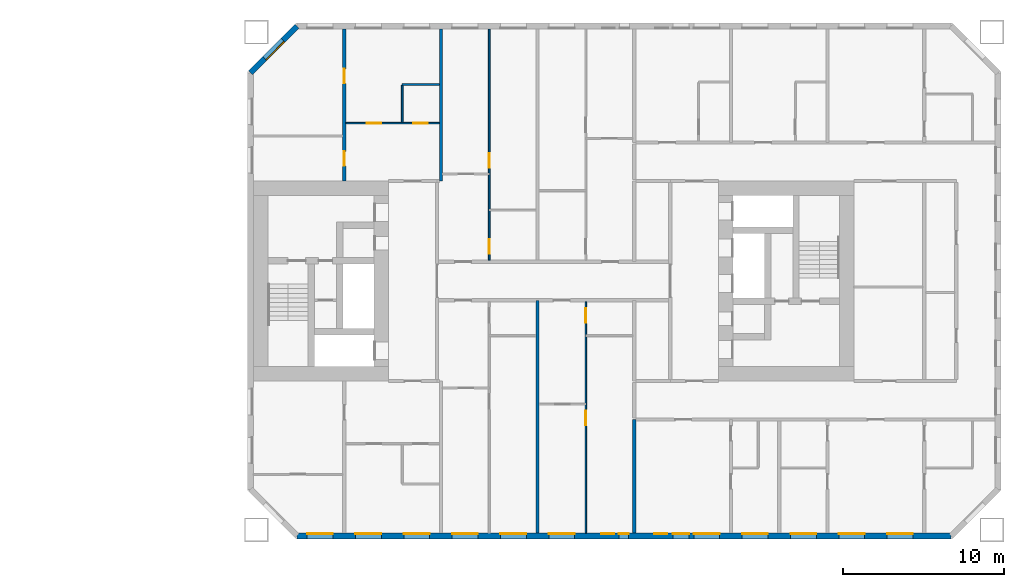
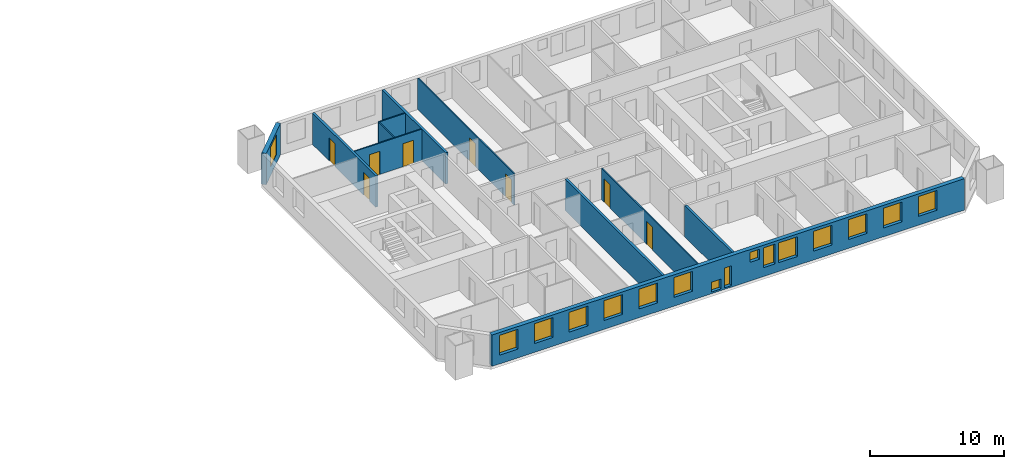
# One storey, part 10 of 16: 16 windows, 11 walls, 8 doors, 24 openings.
"""IFC4 building model written with IfcOpenShell, lengths in metres."""

from ifc_helpers import new_model, si_unit, direction, frame, frame_2d, origin, place, context, subcontext, project, spatial, rectangle, extrude, material, layer, layer_set, type_object, element, fill, save


model = new_model("IFC4")

# Units and contexts
model_context = context("Model", 3, precision=1e-05, world=origin(), true_north=direction((0.0, 1.0)))
body_context = subcontext(model_context, "Body", "Model", "MODEL_VIEW")
ifc_project = project(units=[si_unit("LENGTHUNIT", "METRE"), si_unit("AREAUNIT", "SQUARE_METRE"), si_unit("VOLUMEUNIT", "CUBIC_METRE"), si_unit("PLANEANGLEUNIT", "RADIAN"), si_unit("MASSUNIT", "GRAM", prefix="KILO")], contexts=[model_context])

# Site, building, storey
site_placement = place(None, origin())
site = spatial("IfcSite", under=ifc_project, at=site_placement, CompositionType="ELEMENT")
building_placement = place(site_placement, origin())
building = spatial("IfcBuilding", under=site, at=building_placement, Name="Tuart Gate Housing", CompositionType="ELEMENT")
storey_placement = place(building_placement, frame((0.0, 0.0, 35.0)))
storey = spatial("IfcBuildingStorey", under=building, at=storey_placement, Name="L09", CompositionType="ELEMENT", Elevation=35.0)

# Wall, openings, windows
ifc_material_1 = material(Name="Brick", Category="masonry")
ifc_layer_1 = layer(ifc_material_1, 0.360107421875)
ifc_layer_set_1 = layer_set([ifc_layer_1], Name="Brick pier and spandrel wall 360")
wall_type_1 = type_object("IfcWallType", Name="Brick pier and spandrel wall 360", PredefinedType="STANDARD", material=ifc_layer_set_1)
wall_1_placement = place(storey_placement, frame((134.07470703125, 54.179931640625, 0.0), z_axis=(0.0, 0.0, 1.0), x_axis=(1.0, 0.0, 0.0)))
wall_1 = element("IfcWall", 1, at=wall_1_placement, inside=storey, type_object=wall_type_1, Name="External wall B-S L09", PredefinedType="STANDARD", context=body_context, shape_type="SweptSolid", body=[
    extrude(rectangle(XDim=40.600830078125, YDim=0.360107421875, at=frame_2d((20.30029296875, 0.0))), origin(), (0.0, 0.0, 1.0), 2.85009765625),
])
opening_1_placement = place(wall_1_placement, frame((0.62548828125, 0.0, 0.800048828125)))
opening_1 = element("IfcOpeningElement", 2, at=opening_1_placement, cuts=wall_1, Name="Opening W1", PredefinedType="OPENING", context=body_context, shape_type="SweptSolid", body=[
    extrude(rectangle(XDim=1.60009765625, YDim=1.800048828125, at=frame_2d((0.800048828125, 0.89990234375))), frame((0.0, 0.18994140625, 0.0), z_axis=(0.0, -1.0, 0.0), x_axis=(1.0, 0.0, 0.0)), (0.0, 0.0, 1.0), 0.380126953125),
])
opening_2_placement = place(wall_1_placement, frame((3.62548828125, 0.0, 0.800048828125)))
opening_2 = element("IfcOpeningElement", 3, at=opening_2_placement, cuts=wall_1, Name="Opening W1", PredefinedType="OPENING", context=body_context, shape_type="SweptSolid", body=[
    extrude(rectangle(XDim=1.60009765625, YDim=1.800048828125, at=frame_2d((0.800048828125, 0.89990234375))), frame((0.0, 0.18994140625, 0.0), z_axis=(0.0, -1.0, 0.0), x_axis=(1.0, 0.0, 0.0)), (0.0, 0.0, 1.0), 0.380126953125),
])
opening_3_placement = place(wall_1_placement, frame((6.62548828125, 0.0, 0.800048828125)))
opening_3 = element("IfcOpeningElement", 4, at=opening_3_placement, cuts=wall_1, Name="Opening W1", PredefinedType="OPENING", context=body_context, shape_type="SweptSolid", body=[
    extrude(rectangle(XDim=1.60009765625, YDim=1.800048828125, at=frame_2d((0.800048828125, 0.89990234375))), frame((0.0, 0.18994140625, 0.0), z_axis=(0.0, -1.0, 0.0), x_axis=(1.0, 0.0, 0.0)), (0.0, 0.0, 1.0), 0.380126953125),
])
opening_4_placement = place(wall_1_placement, frame((9.62548828125, 0.0, 0.800048828125)))
opening_4 = element("IfcOpeningElement", 5, at=opening_4_placement, cuts=wall_1, Name="Opening W1", PredefinedType="OPENING", context=body_context, shape_type="SweptSolid", body=[
    extrude(rectangle(XDim=1.60009765625, YDim=1.800048828125, at=frame_2d((0.800048828125, 0.89990234375))), frame((0.0, 0.18994140625, 0.0), z_axis=(0.0, -1.0, 0.0), x_axis=(1.0, 0.0, 0.0)), (0.0, 0.0, 1.0), 0.380126953125),
])
opening_5_placement = place(wall_1_placement, frame((12.62548828125, 0.0, 0.800048828125)))
opening_5 = element("IfcOpeningElement", 6, at=opening_5_placement, cuts=wall_1, Name="Opening W1", PredefinedType="OPENING", context=body_context, shape_type="SweptSolid", body=[
    extrude(rectangle(XDim=1.60009765625, YDim=1.800048828125, at=frame_2d((0.800048828125, 0.89990234375))), frame((0.0, 0.18994140625, 0.0), z_axis=(0.0, -1.0, 0.0), x_axis=(1.0, 0.0, 0.0)), (0.0, 0.0, 1.0), 0.380126953125),
])
opening_6_placement = place(wall_1_placement, frame((15.62548828125, 0.0, 0.800048828125)))
opening_6 = element("IfcOpeningElement", 7, at=opening_6_placement, cuts=wall_1, Name="Opening W1", PredefinedType="OPENING", context=body_context, shape_type="SweptSolid", body=[
    extrude(rectangle(XDim=1.60009765625, YDim=1.800048828125, at=frame_2d((0.800048828125, 0.89990234375))), frame((0.0, 0.18994140625, 0.0), z_axis=(0.0, -1.0, 0.0), x_axis=(1.0, 0.0, 0.0)), (0.0, 0.0, 1.0), 0.380126953125),
])
opening_7_placement = place(wall_1_placement, frame((18.87548828125, 0.0, 0.14990234375)))
opening_7 = element("IfcOpeningElement", 8, at=opening_7_placement, cuts=wall_1, Name="Opening W1V", PredefinedType="OPENING", context=body_context, shape_type="SweptSolid", body=[
    extrude(rectangle(XDim=0.800048828125, YDim=0.89990234375, at=frame_2d((0.39990234375, 0.449951171875))), frame((0.0, 0.18994140625, 0.0), z_axis=(0.0, -1.0, 0.0), x_axis=(1.0, 0.0, 0.0)), (0.0, 0.0, 1.0), 0.380126953125),
])
opening_8_placement = place(wall_1_placement, frame((22.17529296875, 0.0, 1.699951171875)))
opening_8 = element("IfcOpeningElement", 9, at=opening_8_placement, cuts=wall_1, Name="Opening W1V", PredefinedType="OPENING", context=body_context, shape_type="SweptSolid", body=[
    extrude(rectangle(XDim=0.800048828125, YDim=0.89990234375, at=frame_2d((0.39990234375, 0.449951171875))), frame((0.0, 0.18994140625, 0.0), z_axis=(0.0, -1.0, 0.0), x_axis=(1.0, 0.0, 0.0)), (0.0, 0.0, 1.0), 0.380126953125),
])
opening_9_placement = place(wall_1_placement, frame((24.62548828125, 0.0, 0.800048828125)))
opening_9 = element("IfcOpeningElement", 10, at=opening_9_placement, cuts=wall_1, Name="Opening W1", PredefinedType="OPENING", context=body_context, shape_type="SweptSolid", body=[
    extrude(rectangle(XDim=1.60009765625, YDim=1.800048828125, at=frame_2d((0.800048828125, 0.89990234375))), frame((0.0, 0.18994140625, 0.0), z_axis=(0.0, -1.0, 0.0), x_axis=(1.0, 0.0, 0.0)), (0.0, 0.0, 1.0), 0.380126953125),
])
opening_10_placement = place(wall_1_placement, frame((27.62548828125, 0.0, 0.800048828125)))
opening_10 = element("IfcOpeningElement", 11, at=opening_10_placement, cuts=wall_1, Name="Opening W1", PredefinedType="OPENING", context=body_context, shape_type="SweptSolid", body=[
    extrude(rectangle(XDim=1.60009765625, YDim=1.800048828125, at=frame_2d((0.800048828125, 0.89990234375))), frame((0.0, 0.18994140625, 0.0), z_axis=(0.0, -1.0, 0.0), x_axis=(1.0, 0.0, 0.0)), (0.0, 0.0, 1.0), 0.380126953125),
])
opening_11_placement = place(wall_1_placement, frame((30.62548828125, 0.0, 0.800048828125)))
opening_11 = element("IfcOpeningElement", 12, at=opening_11_placement, cuts=wall_1, Name="Opening W1", PredefinedType="OPENING", context=body_context, shape_type="SweptSolid", body=[
    extrude(rectangle(XDim=1.60009765625, YDim=1.800048828125, at=frame_2d((0.800048828125, 0.89990234375))), frame((0.0, 0.18994140625, 0.0), z_axis=(0.0, -1.0, 0.0), x_axis=(1.0, 0.0, 0.0)), (0.0, 0.0, 1.0), 0.380126953125),
])
opening_12_placement = place(wall_1_placement, frame((33.62548828125, 0.0, 0.800048828125)))
opening_12 = element("IfcOpeningElement", 13, at=opening_12_placement, cuts=wall_1, Name="Opening W1", PredefinedType="OPENING", context=body_context, shape_type="SweptSolid", body=[
    extrude(rectangle(XDim=1.60009765625, YDim=1.800048828125, at=frame_2d((0.800048828125, 0.89990234375))), frame((0.0, 0.18994140625, 0.0), z_axis=(0.0, -1.0, 0.0), x_axis=(1.0, 0.0, 0.0)), (0.0, 0.0, 1.0), 0.380126953125),
])
opening_13_placement = place(wall_1_placement, frame((36.62548828125, 0.0, 0.800048828125)))
opening_13 = element("IfcOpeningElement", 14, at=opening_13_placement, cuts=wall_1, Name="Opening W1", PredefinedType="OPENING", context=body_context, shape_type="SweptSolid", body=[
    extrude(rectangle(XDim=1.60009765625, YDim=1.800048828125, at=frame_2d((0.800048828125, 0.89990234375))), frame((0.0, 0.18994140625, 0.0), z_axis=(0.0, -1.0, 0.0), x_axis=(1.0, 0.0, 0.0)), (0.0, 0.0, 1.0), 0.380126953125),
])
opening_14_placement = place(wall_1_placement, frame((19.975341796875, 0.0, 0.14990234375)))
opening_14 = element("IfcOpeningElement", 15, at=opening_14_placement, cuts=wall_1, Name="Opening W1E", PredefinedType="OPENING", context=body_context, shape_type="SweptSolid", body=[
    extrude(rectangle(XDim=0.60009765625, YDim=1.800048828125, at=frame_2d((0.300048828125, 0.89990234375))), frame((0.0, 0.18994140625, 0.0), z_axis=(0.0, -1.0, 0.0), x_axis=(1.0, 0.0, 0.0)), (0.0, 0.0, 1.0), 0.380126953125),
])
opening_15_placement = place(wall_1_placement, frame((23.325439453125, 0.0, 0.800048828125)))
opening_15 = element("IfcOpeningElement", 16, at=opening_15_placement, cuts=wall_1, Name="Opening W1C", PredefinedType="OPENING", context=body_context, shape_type="SweptSolid", body=[
    extrude(rectangle(XDim=1.0, YDim=1.800048828125, at=frame_2d((0.5, 0.89990234375))), frame((0.0, 0.18994140625, 0.0), z_axis=(0.0, -1.0, 0.0), x_axis=(1.0, 0.0, 0.0)), (0.0, 0.0, 1.0), 0.380126953125),
])
ifc_material_2 = material(Name="Aluminium frame with clear glass", Category="aluminium")
window_type_1 = type_object("IfcWindowType", Name="Punched window 1000 x 1800", PartitioningType="SINGLE_PANEL", PredefinedType="WINDOW", material=ifc_material_2)
window_1_placement = place(opening_15_placement, origin())
window_1 = element("IfcWindow", 17, at=window_1_placement, inside=storey, type_object=window_type_1, Name="Window W1C", OverallHeight=1.800048828125, OverallWidth=1.0, PartitioningType="SINGLE_PANEL", PredefinedType="WINDOW", context=body_context, shape_type="SweptSolid", body=[
    extrude(rectangle(XDim=1.0, YDim=1.800048828125, at=frame_2d((0.5, 0.89990234375))), frame((0.0, 0.150146484375, 0.0), z_axis=(0.0, -1.0, 0.0), x_axis=(1.0, 0.0, 0.0)), (0.0, 0.0, 1.0), 0.06005859375),
])
fill(opening_15, window_1)
ifc_material_3 = material(Name="Aluminium frame with clear glass", Category="aluminium")
window_type_2 = type_object("IfcWindowType", Name="Punched window 1600 x 1800", PartitioningType="SINGLE_PANEL", PredefinedType="WINDOW", material=ifc_material_3)
window_2_placement = place(opening_1_placement, origin())
window_2 = element("IfcWindow", 18, at=window_2_placement, inside=storey, type_object=window_type_2, Name="Window W1", OverallHeight=1.800048828125, OverallWidth=1.60009765625, PartitioningType="SINGLE_PANEL", PredefinedType="WINDOW", context=body_context, shape_type="SweptSolid", body=[
    extrude(rectangle(XDim=1.60009765625, YDim=1.800048828125, at=frame_2d((0.800048828125, 0.89990234375))), frame((0.0, 0.150146484375, 0.0), z_axis=(0.0, -1.0, 0.0), x_axis=(1.0, 0.0, 0.0)), (0.0, 0.0, 1.0), 0.06005859375),
])
fill(opening_1, window_2)
window_3_placement = place(opening_2_placement, origin())
window_3 = element("IfcWindow", 19, at=window_3_placement, inside=storey, type_object=window_type_2, Name="Window W1", OverallHeight=1.800048828125, OverallWidth=1.60009765625, PartitioningType="SINGLE_PANEL", PredefinedType="WINDOW", context=body_context, shape_type="SweptSolid", body=[
    extrude(rectangle(XDim=1.60009765625, YDim=1.800048828125, at=frame_2d((0.800048828125, 0.89990234375))), frame((0.0, 0.150146484375, 0.0), z_axis=(0.0, -1.0, 0.0), x_axis=(1.0, 0.0, 0.0)), (0.0, 0.0, 1.0), 0.06005859375),
])
fill(opening_2, window_3)
window_4_placement = place(opening_3_placement, origin())
window_4 = element("IfcWindow", 20, at=window_4_placement, inside=storey, type_object=window_type_2, Name="Window W1", OverallHeight=1.800048828125, OverallWidth=1.60009765625, PartitioningType="SINGLE_PANEL", PredefinedType="WINDOW", context=body_context, shape_type="SweptSolid", body=[
    extrude(rectangle(XDim=1.60009765625, YDim=1.800048828125, at=frame_2d((0.800048828125, 0.89990234375))), frame((0.0, 0.150146484375, 0.0), z_axis=(0.0, -1.0, 0.0), x_axis=(1.0, 0.0, 0.0)), (0.0, 0.0, 1.0), 0.06005859375),
])
fill(opening_3, window_4)
window_5_placement = place(opening_4_placement, origin())
window_5 = element("IfcWindow", 21, at=window_5_placement, inside=storey, type_object=window_type_2, Name="Window W1", OverallHeight=1.800048828125, OverallWidth=1.60009765625, PartitioningType="SINGLE_PANEL", PredefinedType="WINDOW", context=body_context, shape_type="SweptSolid", body=[
    extrude(rectangle(XDim=1.60009765625, YDim=1.800048828125, at=frame_2d((0.800048828125, 0.89990234375))), frame((0.0, 0.150146484375, 0.0), z_axis=(0.0, -1.0, 0.0), x_axis=(1.0, 0.0, 0.0)), (0.0, 0.0, 1.0), 0.06005859375),
])
fill(opening_4, window_5)
window_6_placement = place(opening_5_placement, origin())
window_6 = element("IfcWindow", 22, at=window_6_placement, inside=storey, type_object=window_type_2, Name="Window W1", OverallHeight=1.800048828125, OverallWidth=1.60009765625, PartitioningType="SINGLE_PANEL", PredefinedType="WINDOW", context=body_context, shape_type="SweptSolid", body=[
    extrude(rectangle(XDim=1.60009765625, YDim=1.800048828125, at=frame_2d((0.800048828125, 0.89990234375))), frame((0.0, 0.150146484375, 0.0), z_axis=(0.0, -1.0, 0.0), x_axis=(1.0, 0.0, 0.0)), (0.0, 0.0, 1.0), 0.06005859375),
])
fill(opening_5, window_6)
window_7_placement = place(opening_6_placement, origin())
window_7 = element("IfcWindow", 23, at=window_7_placement, inside=storey, type_object=window_type_2, Name="Window W1", OverallHeight=1.800048828125, OverallWidth=1.60009765625, PartitioningType="SINGLE_PANEL", PredefinedType="WINDOW", context=body_context, shape_type="SweptSolid", body=[
    extrude(rectangle(XDim=1.60009765625, YDim=1.800048828125, at=frame_2d((0.800048828125, 0.89990234375))), frame((0.0, 0.150146484375, 0.0), z_axis=(0.0, -1.0, 0.0), x_axis=(1.0, 0.0, 0.0)), (0.0, 0.0, 1.0), 0.06005859375),
])
fill(opening_6, window_7)
window_8_placement = place(opening_9_placement, origin())
window_8 = element("IfcWindow", 24, at=window_8_placement, inside=storey, type_object=window_type_2, Name="Window W1", OverallHeight=1.800048828125, OverallWidth=1.60009765625, PartitioningType="SINGLE_PANEL", PredefinedType="WINDOW", context=body_context, shape_type="SweptSolid", body=[
    extrude(rectangle(XDim=1.60009765625, YDim=1.800048828125, at=frame_2d((0.800048828125, 0.89990234375))), frame((0.0, 0.150146484375, 0.0), z_axis=(0.0, -1.0, 0.0), x_axis=(1.0, 0.0, 0.0)), (0.0, 0.0, 1.0), 0.06005859375),
])
fill(opening_9, window_8)
window_9_placement = place(opening_10_placement, origin())
window_9 = element("IfcWindow", 25, at=window_9_placement, inside=storey, type_object=window_type_2, Name="Window W1", OverallHeight=1.800048828125, OverallWidth=1.60009765625, PartitioningType="SINGLE_PANEL", PredefinedType="WINDOW", context=body_context, shape_type="SweptSolid", body=[
    extrude(rectangle(XDim=1.60009765625, YDim=1.800048828125, at=frame_2d((0.800048828125, 0.89990234375))), frame((0.0, 0.150146484375, 0.0), z_axis=(0.0, -1.0, 0.0), x_axis=(1.0, 0.0, 0.0)), (0.0, 0.0, 1.0), 0.06005859375),
])
fill(opening_10, window_9)
window_10_placement = place(opening_11_placement, origin())
window_10 = element("IfcWindow", 26, at=window_10_placement, inside=storey, type_object=window_type_2, Name="Window W1", OverallHeight=1.800048828125, OverallWidth=1.60009765625, PartitioningType="SINGLE_PANEL", PredefinedType="WINDOW", context=body_context, shape_type="SweptSolid", body=[
    extrude(rectangle(XDim=1.60009765625, YDim=1.800048828125, at=frame_2d((0.800048828125, 0.89990234375))), frame((0.0, 0.150146484375, 0.0), z_axis=(0.0, -1.0, 0.0), x_axis=(1.0, 0.0, 0.0)), (0.0, 0.0, 1.0), 0.06005859375),
])
fill(opening_11, window_10)
window_11_placement = place(opening_12_placement, origin())
window_11 = element("IfcWindow", 27, at=window_11_placement, inside=storey, type_object=window_type_2, Name="Window W1", OverallHeight=1.800048828125, OverallWidth=1.60009765625, PartitioningType="SINGLE_PANEL", PredefinedType="WINDOW", context=body_context, shape_type="SweptSolid", body=[
    extrude(rectangle(XDim=1.60009765625, YDim=1.800048828125, at=frame_2d((0.800048828125, 0.89990234375))), frame((0.0, 0.150146484375, 0.0), z_axis=(0.0, -1.0, 0.0), x_axis=(1.0, 0.0, 0.0)), (0.0, 0.0, 1.0), 0.06005859375),
])
fill(opening_12, window_11)
window_12_placement = place(opening_13_placement, origin())
window_12 = element("IfcWindow", 28, at=window_12_placement, inside=storey, type_object=window_type_2, Name="Window W1", OverallHeight=1.800048828125, OverallWidth=1.60009765625, PartitioningType="SINGLE_PANEL", PredefinedType="WINDOW", context=body_context, shape_type="SweptSolid", body=[
    extrude(rectangle(XDim=1.60009765625, YDim=1.800048828125, at=frame_2d((0.800048828125, 0.89990234375))), frame((0.0, 0.150146484375, 0.0), z_axis=(0.0, -1.0, 0.0), x_axis=(1.0, 0.0, 0.0)), (0.0, 0.0, 1.0), 0.06005859375),
])
fill(opening_13, window_12)
ifc_material_4 = material(Name="Aluminium frame with clear glass", Category="aluminium")
window_type_3 = type_object("IfcWindowType", Name="Punched window 600 x 1800", PartitioningType="SINGLE_PANEL", PredefinedType="WINDOW", material=ifc_material_4)
window_13_placement = place(opening_14_placement, origin())
window_13 = element("IfcWindow", 29, at=window_13_placement, inside=storey, type_object=window_type_3, Name="Window W1E", OverallHeight=1.800048828125, OverallWidth=0.60009765625, PartitioningType="SINGLE_PANEL", PredefinedType="WINDOW", context=body_context, shape_type="SweptSolid", body=[
    extrude(rectangle(XDim=0.60009765625, YDim=1.800048828125, at=frame_2d((0.300048828125, 0.89990234375))), frame((0.0, 0.150146484375, 0.0), z_axis=(0.0, -1.0, 0.0), x_axis=(1.0, 0.0, 0.0)), (0.0, 0.0, 1.0), 0.06005859375),
])
fill(opening_14, window_13)
ifc_material_5 = material(Name="Aluminium frame with clear glass", Category="aluminium")
window_type_4 = type_object("IfcWindowType", Name="Punched window 800 x 900", PartitioningType="SINGLE_PANEL", PredefinedType="WINDOW", material=ifc_material_5)
window_14_placement = place(opening_7_placement, origin())
window_14 = element("IfcWindow", 30, at=window_14_placement, inside=storey, type_object=window_type_4, Name="Window W1V", OverallHeight=0.89990234375, OverallWidth=0.800048828125, PartitioningType="SINGLE_PANEL", PredefinedType="WINDOW", context=body_context, shape_type="SweptSolid", body=[
    extrude(rectangle(XDim=0.800048828125, YDim=0.89990234375, at=frame_2d((0.39990234375, 0.449951171875))), frame((0.0, 0.150146484375, 0.0), z_axis=(0.0, -1.0, 0.0), x_axis=(1.0, 0.0, 0.0)), (0.0, 0.0, 1.0), 0.06005859375),
])
fill(opening_7, window_14)
window_15_placement = place(opening_8_placement, origin())
window_15 = element("IfcWindow", 31, at=window_15_placement, inside=storey, type_object=window_type_4, Name="Window W1V", OverallHeight=0.89990234375, OverallWidth=0.800048828125, PartitioningType="SINGLE_PANEL", PredefinedType="WINDOW", context=body_context, shape_type="SweptSolid", body=[
    extrude(rectangle(XDim=0.800048828125, YDim=0.89990234375, at=frame_2d((0.39990234375, 0.449951171875))), frame((0.0, 0.150146484375, 0.0), z_axis=(0.0, -1.0, 0.0), x_axis=(1.0, 0.0, 0.0)), (0.0, 0.0, 1.0), 0.06005859375),
])
fill(opening_8, window_15)

# Wall, opening, window
wall_2_placement = place(storey_placement, frame((134.07470703125, 85.820068359375, 0.0), z_axis=(0.0, 0.0, 1.0), x_axis=(-0.707106781187, -0.707106781187, 0.0)))
wall_2 = element("IfcWall", 32, at=wall_2_placement, inside=storey, type_object=wall_type_1, Name="External wall B-NW L09", PredefinedType="STANDARD", context=body_context, shape_type="SweptSolid", body=[
    extrude(rectangle(XDim=4.09375, YDim=0.360107421875, at=frame_2d((2.046875, 0.0))), origin(), (0.0, 0.0, 1.0), 2.85009765625),
])
opening_16_placement = place(wall_2_placement, frame((1.2470703125, 0.0, 0.800048828125)))
opening_16 = element("IfcOpeningElement", 33, at=opening_16_placement, cuts=wall_2, Name="Opening W1", PredefinedType="OPENING", context=body_context, shape_type="SweptSolid", body=[
    extrude(rectangle(XDim=1.60009765625, YDim=1.800048828125, at=frame_2d((0.800048828125, 0.89990234375))), frame((0.0, 0.18994140625, 0.0), z_axis=(0.0, -1.0, 0.0), x_axis=(1.0, 0.0, 0.0)), (0.0, 0.0, 1.0), 0.380126953125),
])
window_16_placement = place(opening_16_placement, origin())
window_16 = element("IfcWindow", 34, at=window_16_placement, inside=storey, type_object=window_type_2, Name="Window W1", OverallHeight=1.800048828125, OverallWidth=1.60009765625, PartitioningType="SINGLE_PANEL", PredefinedType="WINDOW", context=body_context, shape_type="SweptSolid", body=[
    extrude(rectangle(XDim=1.60009765625, YDim=1.800048828125, at=frame_2d((0.800048828125, 0.89990234375))), frame((0.0, 0.150146484375, 0.0), z_axis=(0.0, -1.0, 0.0), x_axis=(1.0, 0.0, 0.0)), (0.0, 0.0, 1.0), 0.06005859375),
])
fill(opening_16, window_16)

# Wall, openings, doors
ifc_material_6 = material(Name="Gypsum board on steel studs", Category="steel")
ifc_layer_2 = layer(ifc_material_6, 0.10009765625)
ifc_layer_set_2 = layer_set([ifc_layer_2], Name="Partition 100")
wall_type_2 = type_object("IfcWallType", Name="Partition 100", PredefinedType="PARTITIONING", material=ifc_layer_set_2)
wall_3_placement = place(storey_placement, frame((137.10009765625, 79.800048828125, 0.0), z_axis=(0.0, 0.0, 1.0), x_axis=(1.0, 0.0, 0.0)))
wall_3 = element("IfcWall", 35, at=wall_3_placement, inside=storey, type_object=wall_type_2, Name="Partition 100", PredefinedType="PARTITIONING", context=body_context, shape_type="SweptSolid", body=[
    extrude(rectangle(XDim=5.7998046875, YDim=0.10009765625, at=frame_2d((2.89990234375, 0.0))), origin(), (0.0, 0.0, 1.0), 2.85009765625),
])
opening_17_placement = place(wall_3_placement, frame((1.300048828125, 0.0, 0.0)))
opening_17 = element("IfcOpeningElement", 36, at=opening_17_placement, cuts=wall_3, Name="Opening D539", PredefinedType="OPENING", context=body_context, shape_type="SweptSolid", body=[
    extrude(rectangle(XDim=0.89990234375, YDim=2.10009765625, at=frame_2d((0.449951171875, 1.050048828125))), frame((0.0, 0.06005859375, 0.0), z_axis=(0.0, -1.0, 0.0), x_axis=(1.0, 0.0, 0.0)), (0.0, 0.0, 1.0), 0.1201171875),
])
opening_18_placement = place(wall_3_placement, frame((4.199951171875, 0.0, 0.0)))
opening_18 = element("IfcOpeningElement", 37, at=opening_18_placement, cuts=wall_3, Name="Opening D538", PredefinedType="OPENING", context=body_context, shape_type="SweptSolid", body=[
    extrude(rectangle(XDim=0.89990234375, YDim=2.10009765625, at=frame_2d((0.449951171875, 1.050048828125))), frame((0.0, 0.06005859375, 0.0), z_axis=(0.0, -1.0, 0.0), x_axis=(1.0, 0.0, 0.0)), (0.0, 0.0, 1.0), 0.1201171875),
])
ifc_material_7 = material(Name="Timber door leaf in steel frame", Category="steel")
door_type_1 = type_object("IfcDoorType", Name="Bathroom door 900", OperationType="SINGLE_SWING_LEFT", PredefinedType="DOOR", material=ifc_material_7)
door_1_placement = place(opening_18_placement, origin())
door_1 = element("IfcDoor", 38, at=door_1_placement, inside=storey, type_object=door_type_1, Name="Bathroom door", OperationType="SINGLE_SWING_LEFT", OverallHeight=2.10009765625, OverallWidth=0.89990234375, PredefinedType="DOOR", context=body_context, shape_type="SweptSolid", body=[
    extrude(rectangle(XDim=0.89990234375, YDim=2.10009765625, at=frame_2d((0.449951171875, 1.050048828125))), frame((0.0, 0.02490234375, 0.0), z_axis=(0.0, -1.0, 0.0), x_axis=(1.0, 0.0, 0.0)), (0.0, 0.0, 1.0), 0.050048828125),
])
fill(opening_18, door_1)
ifc_material_8 = material(Name="Timber door leaf in steel frame", Category="steel")
door_type_2 = type_object("IfcDoorType", Name="Internal door 900 RH", OperationType="SINGLE_SWING_RIGHT", PredefinedType="DOOR", material=ifc_material_8)
door_2_placement = place(opening_17_placement, frame((0.89990234375, 0.0, 0.0), z_axis=(0.0, 0.0, 1.0), x_axis=(-1.0, 0.0, 0.0)))
door_2 = element("IfcDoor", 39, at=door_2_placement, inside=storey, type_object=door_type_2, Name="Internal door", OperationType="SINGLE_SWING_RIGHT", OverallHeight=2.10009765625, OverallWidth=0.89990234375, PredefinedType="DOOR", context=body_context, shape_type="SweptSolid", body=[
    extrude(rectangle(XDim=0.89990234375, YDim=2.10009765625, at=frame_2d((0.449951171875, 1.050048828125))), frame((0.0, 0.025146484375, 0.0), z_axis=(0.0, -1.0, 0.0), x_axis=(1.0, 0.0, 0.0)), (0.0, 0.0, 1.0), 0.050048828125),
])
fill(opening_17, door_2)

# Walls
for number, where, z_axis, x_axis, name in (
    (40, (140.60009765625, 82.199951171875, 0.0), (0.0, 0.0, 1.0), (1.0, 0.0, 0.0), "Partition 100"),
    (41, (140.60009765625, 79.85009765625, 0.0), (0.0, 0.0, 1.0), (0.0, 1.0, 0.0), "Partition 100"),
):
    element("IfcWall", number, at=place(storey_placement, frame(where, z_axis=z_axis, x_axis=x_axis)), inside=storey, type_object=wall_type_2, Name=name, PredefinedType="PARTITIONING", context=body_context, shape_type="SweptSolid", body=[
        extrude(rectangle(XDim=2.2998046875, YDim=0.10009765625, at=frame_2d((1.14990234375, 0.0))), origin(), (0.0, 0.0, 1.0), 2.85009765625),
    ])

# Wall, openings, doors
wall_4_placement = place(storey_placement, frame((146.0, 71.300048828125, 0.0), z_axis=(0.0, 0.0, 1.0), x_axis=(0.0, 1.0, 0.0)))
wall_4 = element("IfcWall", 42, at=wall_4_placement, inside=storey, type_object=wall_type_2, Name="Partition 100", PredefinedType="PARTITIONING", context=body_context, shape_type="SweptSolid", body=[
    extrude(rectangle(XDim=14.33984375, YDim=0.10009765625, at=frame_2d((7.169921875, 0.0))), origin(), (0.0, 0.0, 1.0), 2.85009765625),
])
opening_19_placement = place(wall_4_placement, frame((5.739990234375, 0.0, 0.0)))
opening_19 = element("IfcOpeningElement", 43, at=opening_19_placement, cuts=wall_4, Name="Opening D545", PredefinedType="OPENING", context=body_context, shape_type="SweptSolid", body=[
    extrude(rectangle(XDim=0.89990234375, YDim=2.10009765625, at=frame_2d((0.449951171875, 1.050048828125))), frame((0.0, 0.06005859375, 0.0), z_axis=(0.0, -1.0, 0.0), x_axis=(1.0, 0.0, 0.0)), (0.0, 0.0, 1.0), 0.1201171875),
])
opening_20_placement = place(wall_4_placement, frame((0.39990234375, 0.0, 0.0)))
opening_20 = element("IfcOpeningElement", 44, at=opening_20_placement, cuts=wall_4, Name="Opening D544", PredefinedType="OPENING", context=body_context, shape_type="SweptSolid", body=[
    extrude(rectangle(XDim=0.89990234375, YDim=2.10009765625, at=frame_2d((0.449951171875, 1.050048828125))), frame((0.0, 0.06005859375, 0.0), z_axis=(0.0, -1.0, 0.0), x_axis=(1.0, 0.0, 0.0)), (0.0, 0.0, 1.0), 0.1201171875),
])
ifc_material_9 = material(Name="Timber door leaf in steel frame", Category="steel")
door_type_3 = type_object("IfcDoorType", Name="Bathroom door 900 RH", OperationType="SINGLE_SWING_RIGHT", PredefinedType="DOOR", material=ifc_material_9)
door_3_placement = place(opening_20_placement, frame((0.89990234375, 0.0, 0.0), z_axis=(0.0, 0.0, 1.0), x_axis=(-1.0, 0.0, 0.0)))
door_3 = element("IfcDoor", 45, at=door_3_placement, inside=storey, type_object=door_type_3, Name="Bathroom door", OperationType="SINGLE_SWING_RIGHT", OverallHeight=2.10009765625, OverallWidth=0.89990234375, PredefinedType="DOOR", context=body_context, shape_type="SweptSolid", body=[
    extrude(rectangle(XDim=0.89990234375, YDim=2.10009765625, at=frame_2d((0.449951171875, 1.050048828125))), frame((0.0, 0.025146484375, 0.0), z_axis=(0.0, -1.0, 0.0), x_axis=(1.0, 0.0, 0.0)), (0.0, 0.0, 1.0), 0.050048828125),
])
fill(opening_20, door_3)
door_4_placement = place(opening_19_placement, frame((0.89990234375, 0.0, 0.0), z_axis=(0.0, 0.0, 1.0), x_axis=(-1.0, 0.0, 0.0)))
door_4 = element("IfcDoor", 46, at=door_4_placement, inside=storey, type_object=door_type_2, Name="Internal door", OperationType="SINGLE_SWING_RIGHT", OverallHeight=2.10009765625, OverallWidth=0.89990234375, PredefinedType="DOOR", context=body_context, shape_type="SweptSolid", body=[
    extrude(rectangle(XDim=0.89990234375, YDim=2.10009765625, at=frame_2d((0.449951171875, 1.050048828125))), frame((0.0, 0.025146484375, 0.0), z_axis=(0.0, -1.0, 0.0), x_axis=(1.0, 0.0, 0.0)), (0.0, 0.0, 1.0), 0.050048828125),
])
fill(opening_19, door_4)

wall_5_placement = place(storey_placement, frame((152.0, 54.360107421875, 0.0), z_axis=(0.0, 0.0, 1.0), x_axis=(0.0, 1.0, 0.0)))
wall_5 = element("IfcWall", 47, at=wall_5_placement, inside=storey, type_object=wall_type_2, Name="Partition 100", PredefinedType="PARTITIONING", context=body_context, shape_type="SweptSolid", body=[
    extrude(rectangle(XDim=14.33984375, YDim=0.10009765625, at=frame_2d((7.169921875, 0.0))), origin(), (0.0, 0.0, 1.0), 2.85009765625),
])
opening_21_placement = place(wall_5_placement, frame((6.699951171875, 0.0, 0.0)))
opening_21 = element("IfcOpeningElement", 48, at=opening_21_placement, cuts=wall_5, Name="Opening D577", PredefinedType="OPENING", context=body_context, shape_type="SweptSolid", body=[
    extrude(rectangle(XDim=0.89990234375, YDim=2.10009765625, at=frame_2d((0.449951171875, 1.050048828125))), frame((0.0, 0.06005859375, 0.0), z_axis=(0.0, -1.0, 0.0), x_axis=(1.0, 0.0, 0.0)), (0.0, 0.0, 1.0), 0.1201171875),
])
opening_22_placement = place(wall_5_placement, frame((13.0400390625, 0.0, 0.0)))
opening_22 = element("IfcOpeningElement", 49, at=opening_22_placement, cuts=wall_5, Name="Opening D576", PredefinedType="OPENING", context=body_context, shape_type="SweptSolid", body=[
    extrude(rectangle(XDim=0.89990234375, YDim=2.10009765625, at=frame_2d((0.449951171875, 1.050048828125))), frame((0.0, 0.06005859375, 0.0), z_axis=(0.0, -1.0, 0.0), x_axis=(1.0, 0.0, 0.0)), (0.0, 0.0, 1.0), 0.1201171875),
])
door_5_placement = place(opening_22_placement, frame((0.89990234375, 0.0, 0.0), z_axis=(0.0, 0.0, 1.0), x_axis=(-1.0, 0.0, 0.0)))
door_5 = element("IfcDoor", 50, at=door_5_placement, inside=storey, type_object=door_type_1, Name="Bathroom door", OperationType="SINGLE_SWING_LEFT", OverallHeight=2.10009765625, OverallWidth=0.89990234375, PredefinedType="DOOR", context=body_context, shape_type="SweptSolid", body=[
    extrude(rectangle(XDim=0.89990234375, YDim=2.10009765625, at=frame_2d((0.449951171875, 1.050048828125))), frame((0.0, 0.025146484375, 0.0), z_axis=(0.0, -1.0, 0.0), x_axis=(1.0, 0.0, 0.0)), (0.0, 0.0, 1.0), 0.050048828125),
])
fill(opening_22, door_5)
ifc_material_10 = material(Name="Timber door leaf in steel frame", Category="steel")
door_type_4 = type_object("IfcDoorType", Name="Internal door 900", OperationType="SINGLE_SWING_LEFT", PredefinedType="DOOR", material=ifc_material_10)
door_6_placement = place(opening_21_placement, frame((0.89990234375, 0.0, 0.0), z_axis=(0.0, 0.0, 1.0), x_axis=(-1.0, 0.0, 0.0)))
door_6 = element("IfcDoor", 51, at=door_6_placement, inside=storey, type_object=door_type_4, Name="Internal door", OperationType="SINGLE_SWING_LEFT", OverallHeight=2.10009765625, OverallWidth=0.89990234375, PredefinedType="DOOR", context=body_context, shape_type="SweptSolid", body=[
    extrude(rectangle(XDim=0.89990234375, YDim=2.10009765625, at=frame_2d((0.449951171875, 1.050048828125))), frame((0.0, 0.025146484375, 0.0), z_axis=(0.0, -1.0, 0.0), x_axis=(1.0, 0.0, 0.0)), (0.0, 0.0, 1.0), 0.050048828125),
])
fill(opening_21, door_6)

ifc_material_11 = material(Name="Concrete C40", Category="concrete")
ifc_layer_3 = layer(ifc_material_11, 0.199951171875)
ifc_layer_set_3 = layer_set([ifc_layer_3], Name="Party wall concrete C40 200")
wall_type_3 = type_object("IfcWallType", Name="Party wall concrete C40 200", PredefinedType="SOLIDWALL", material=ifc_layer_set_3)
wall_6_placement = place(storey_placement, frame((137.0, 76.199951171875, 0.0), z_axis=(0.0, 0.0, 1.0), x_axis=(0.0, 1.0, 0.0)))
wall_6 = element("IfcWall", 52, at=wall_6_placement, inside=storey, type_object=wall_type_3, Name="Party wall concrete C40 200", PredefinedType="SOLIDWALL", context=body_context, shape_type="SweptSolid", body=[
    extrude(rectangle(XDim=9.43994140625, YDim=0.199951171875, at=frame_2d((4.719970703125, 0.0))), origin(), (0.0, 0.0, 1.0), 2.85009765625),
])
opening_23_placement = place(wall_6_placement, frame((6.070068359375, 0.0, 0.0)))
opening_23 = element("IfcOpeningElement", 53, at=opening_23_placement, cuts=wall_6, Name="Opening D534", PredefinedType="OPENING", context=body_context, shape_type="SweptSolid", body=[
    extrude(rectangle(XDim=0.89990234375, YDim=2.10009765625, at=frame_2d((0.449951171875, 1.050048828125))), frame((0.0, 0.10986328125, 0.0), z_axis=(0.0, -1.0, 0.0), x_axis=(1.0, 0.0, 0.0)), (0.0, 0.0, 1.0), 0.219970703125),
])
opening_24_placement = place(wall_6_placement, frame((0.949951171875, 0.0, 0.0)))
opening_24 = element("IfcOpeningElement", 54, at=opening_24_placement, cuts=wall_6, Name="Opening D535", PredefinedType="OPENING", context=body_context, shape_type="SweptSolid", body=[
    extrude(rectangle(XDim=0.89990234375, YDim=2.10009765625, at=frame_2d((0.449951171875, 1.050048828125))), frame((0.0, 0.10986328125, 0.0), z_axis=(0.0, -1.0, 0.0), x_axis=(1.0, 0.0, 0.0)), (0.0, 0.0, 1.0), 0.219970703125),
])
door_7_placement = place(opening_24_placement, origin())
door_7 = element("IfcDoor", 55, at=door_7_placement, inside=storey, type_object=door_type_4, Name="Internal door", OperationType="SINGLE_SWING_LEFT", OverallHeight=2.10009765625, OverallWidth=0.89990234375, PredefinedType="DOOR", context=body_context, shape_type="SweptSolid", body=[
    extrude(rectangle(XDim=0.89990234375, YDim=2.10009765625, at=frame_2d((0.449951171875, 1.050048828125))), frame((0.0, 0.02490234375, 0.0), z_axis=(0.0, -1.0, 0.0), x_axis=(1.0, 0.0, 0.0)), (0.0, 0.0, 1.0), 0.050048828125),
])
fill(opening_24, door_7)
door_8_placement = place(opening_23_placement, origin())
door_8 = element("IfcDoor", 56, at=door_8_placement, inside=storey, type_object=door_type_2, Name="Internal door", OperationType="SINGLE_SWING_RIGHT", OverallHeight=2.10009765625, OverallWidth=0.89990234375, PredefinedType="DOOR", context=body_context, shape_type="SweptSolid", body=[
    extrude(rectangle(XDim=0.89990234375, YDim=2.10009765625, at=frame_2d((0.449951171875, 1.050048828125))), frame((0.0, 0.02490234375, 0.0), z_axis=(0.0, -1.0, 0.0), x_axis=(1.0, 0.0, 0.0)), (0.0, 0.0, 1.0), 0.050048828125),
])
fill(opening_23, door_8)

# Walls
wall_7_placement = place(storey_placement, frame((143.0, 76.199951171875, 0.0), z_axis=(0.0, 0.0, 1.0), x_axis=(0.0, 1.0, 0.0)))
element("IfcWall", 57, at=wall_7_placement, inside=storey, type_object=wall_type_3, Name="Party wall concrete C40 200", PredefinedType="SOLIDWALL", context=body_context, shape_type="SweptSolid", body=[
    extrude(rectangle(XDim=9.43994140625, YDim=0.199951171875, at=frame_2d((4.719970703125, 0.0))), origin(), (0.0, 0.0, 1.0), 2.85009765625),
])
wall_8_placement = place(storey_placement, frame((149.0, 54.360107421875, 0.0), z_axis=(0.0, 0.0, 1.0), x_axis=(0.0, 1.0, 0.0)))
element("IfcWall", 58, at=wall_8_placement, inside=storey, type_object=wall_type_3, Name="Party wall concrete C40 200", PredefinedType="SOLIDWALL", context=body_context, shape_type="SweptSolid", body=[
    extrude(rectangle(XDim=14.43994140625, YDim=0.199951171875, at=frame_2d((7.219970703125, 0.0))), origin(), (0.0, 0.0, 1.0), 2.85009765625),
])
wall_9_placement = place(storey_placement, frame((155.0, 54.360107421875, 0.0), z_axis=(0.0, 0.0, 1.0), x_axis=(0.0, 1.0, 0.0)))
element("IfcWall", 59, at=wall_9_placement, inside=storey, type_object=wall_type_3, Name="Party wall concrete C40 200", PredefinedType="SOLIDWALL", context=body_context, shape_type="SweptSolid", body=[
    extrude(rectangle(XDim=7.039794921875, YDim=0.199951171875, at=frame_2d((3.52001953125, 0.0))), origin(), (0.0, 0.0, 1.0), 2.85009765625),
])

save(model, "model.ifc")
